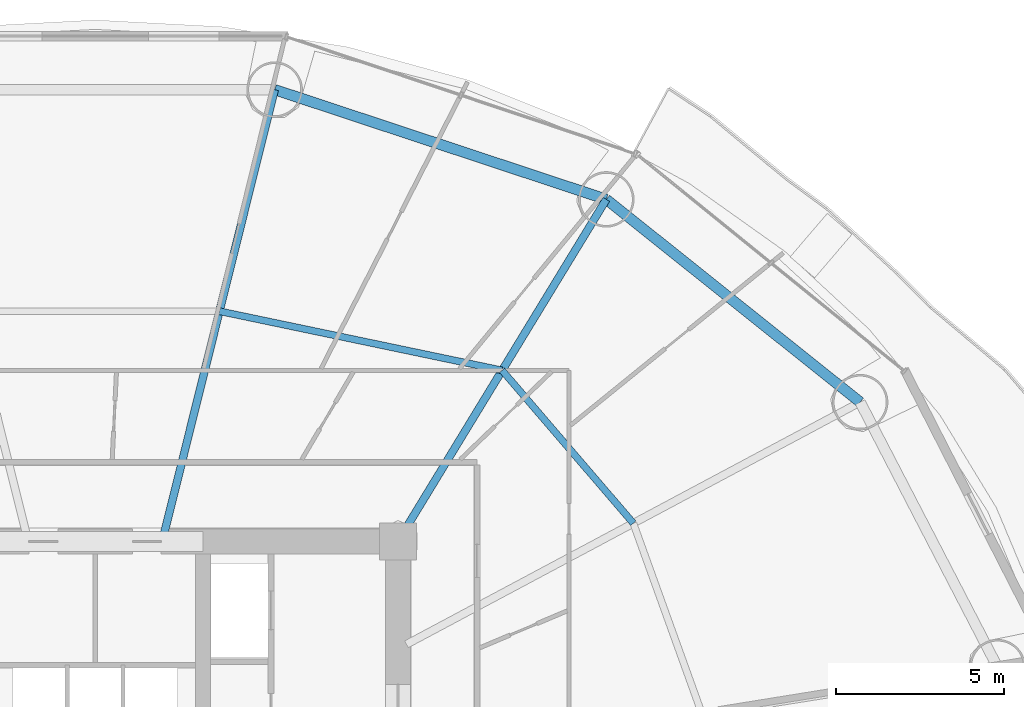
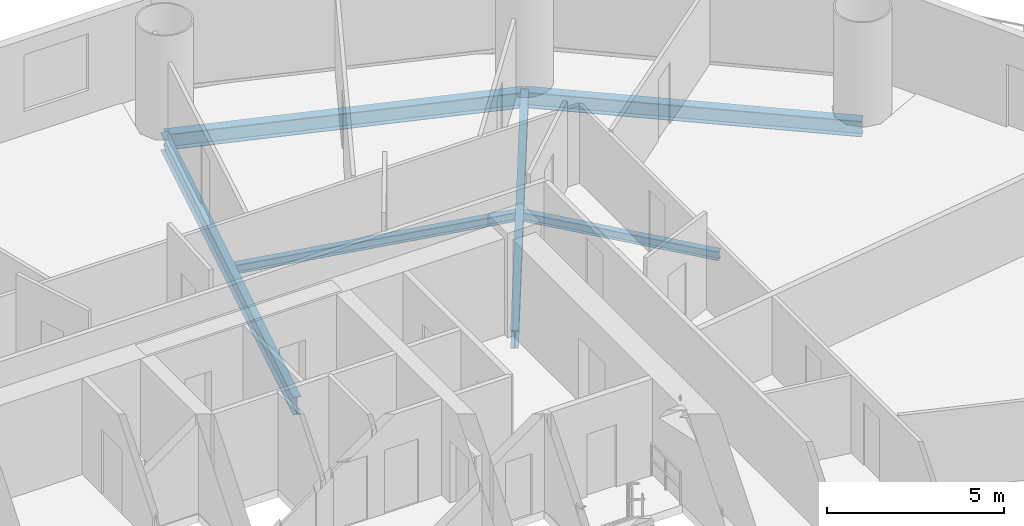
# One storey, part 17 of 28: 6 beams.
"""IFC4 building model written with IfcOpenShell, lengths in metres."""

from ifc_helpers import new_model, si_unit, direction, frame, origin, origin_2d, place, context, subcontext, project, spatial, i_section, extrude, material, material_profile, profile_set, type_object, element, save


model = new_model("IFC4")

# Units and contexts
model_context = context("Model", 3, precision=1e-05, world=origin(), true_north=direction((-0.2419218956, 0.970295726276)))
body_context = subcontext(model_context, "Body", "Model", "MODEL_VIEW")
ifc_project = project(units=[si_unit("LENGTHUNIT", "METRE"), si_unit("AREAUNIT", "SQUARE_METRE"), si_unit("VOLUMEUNIT", "CUBIC_METRE"), si_unit("PLANEANGLEUNIT", "RADIAN"), si_unit("MASSUNIT", "GRAM", prefix="KILO")], contexts=[model_context])

# Site, building, storey
site_placement = place(None, origin())
site = spatial("IfcSite", under=ifc_project, at=site_placement, CompositionType="ELEMENT")
building_placement = place(site_placement, origin())
building = spatial("IfcBuilding", under=site, at=building_placement, Name="Cobrevalo Terracotta Tower", CompositionType="ELEMENT")
storey_placement = place(building_placement, frame((0.0, 0.0, 42.0)))
storey = spatial("IfcBuildingStorey", under=building, at=storey_placement, Name="L10", CompositionType="ELEMENT", Elevation=42.0)

# Beams
ifc_material = material(Name="Steel S355", Category="steel")
ifc_material_profile_1 = material_profile(ifc_material, i_section(OverallWidth=0.22998046875, OverallDepth=0.616943359375, WebThickness=0.01318359375, FlangeThickness=0.022216796875, at=origin_2d()), Name="W 610x140")
ifc_profile_set_1 = profile_set([ifc_material_profile_1], Name="Steel S355")
beam_type_1 = type_object("IfcBeamType", Name="Structural Beam W 610x140 (Steel S355)", PredefinedType="BEAM", material=ifc_profile_set_1)
beam_1_placement = place(storey_placement, frame((53.19482421875, 44.967529296875, -0.58837890625), z_axis=(-0.520309892051, -0.853977526773, 0.0), x_axis=(0.853977526773, -0.520309892051, 0.0)))
element("IfcBeam", 1, at=beam_1_placement, inside=storey, type_object=beam_type_1, Name="L10 radial floor girder 03", PredefinedType="BEAM", context=body_context, shape_type="SweptSolid", body=[
    extrude(i_section(OverallWidth=0.22998046875, OverallDepth=0.616943359375, WebThickness=0.01318359375, FlangeThickness=0.022216796875, at=origin_2d()), origin(), (0.0, 0.0, 1.0), 11.906005859375),
])
beam_2_placement = place(storey_placement, frame((43.335693359375, 48.230224609375, -0.58837890625), z_axis=(-0.241596254786, -0.970376859614, 0.0), x_axis=(0.970376859614, -0.241596254786, 0.0)))
element("IfcBeam", 2, at=beam_2_placement, inside=storey, type_object=beam_type_1, Name="L10 radial floor girder 04", PredefinedType="BEAM", context=body_context, shape_type="SweptSolid", body=[
    extrude(i_section(OverallWidth=0.22998046875, OverallDepth=0.616943359375, WebThickness=0.01318359375, FlangeThickness=0.022216796875, at=origin_2d()), origin(), (0.0, 0.0, 1.0), 13.577392578125),
])
ifc_material_profile_2 = material_profile(ifc_material, i_section(OverallWidth=0.2041015625, OverallDepth=0.305908203125, WebThickness=0.008544921875, FlangeThickness=0.0146484375, at=origin_2d()), Name="W 310x67")
ifc_profile_set_2 = profile_set([ifc_material_profile_2], Name="Steel S355")
beam_type_2 = type_object("IfcBeamType", Name="Structural Joist W 310x67 (Steel S355)", PredefinedType="JOIST", material=ifc_profile_set_2)
beam_3_placement = place(storey_placement, frame((53.997802734375, 35.33984375, -0.43310546875), z_axis=(-0.651328404454, 0.758795960421, 0.0), x_axis=(-0.758795960421, -0.651328404454, 0.0)))
element("IfcBeam", 3, at=beam_3_placement, inside=storey, type_object=beam_type_2, Name="L10 circumferential secondary floor joist 02", PredefinedType="JOIST", context=body_context, shape_type="SweptSolid", body=[
    extrude(i_section(OverallWidth=0.2041015625, OverallDepth=0.305908203125, WebThickness=0.008544921875, FlangeThickness=0.0146484375, at=origin_2d()), origin(), (0.0, 0.0, 1.0), 5.98828125),
])
beam_4_placement = place(storey_placement, frame((50.097412109375, 39.8837890625, -0.43310546875), z_axis=(-0.978784523904, 0.204892302848, 0.0), x_axis=(-0.204892302848, -0.978784523904, 0.0)))
element("IfcBeam", 4, at=beam_4_placement, inside=storey, type_object=beam_type_2, Name="L10 circumferential secondary floor joist 03", PredefinedType="JOIST", context=body_context, shape_type="SweptSolid", body=[
    extrude(i_section(OverallWidth=0.2041015625, OverallDepth=0.305908203125, WebThickness=0.008544921875, FlangeThickness=0.0146484375, at=origin_2d()), origin(), (0.0, 0.0, 1.0), 8.583984375),
])
ifc_material_profile_3 = material_profile(ifc_material, i_section(OverallWidth=0.31201171875, OverallDepth=0.54296875, WebThickness=0.0126953125, FlangeThickness=0.020263671875, at=origin_2d()), Name="W 530x150")
ifc_profile_set_3 = profile_set([ifc_material_profile_3], Name="Steel S355")
beam_type_3 = type_object("IfcBeamType", Name="Structural Spandrel W 530x150 (Steel S355)", PredefinedType="SPANDREL", material=ifc_profile_set_3)
beam_5_placement = place(storey_placement, frame((60.74072265625, 38.939208984375, -0.551513671875), z_axis=(-0.781292806807, 0.62416468182, 0.0), x_axis=(-0.62416468182, -0.781292806807, 0.0)))
element("IfcBeam", 5, at=beam_5_placement, inside=storey, type_object=beam_type_3, Name="L10 perimeter ring spandrel 02", PredefinedType="SPANDREL", context=body_context, shape_type="SweptSolid", body=[
    extrude(i_section(OverallWidth=0.31201171875, OverallDepth=0.54296875, WebThickness=0.0126953125, FlangeThickness=0.020263671875, at=origin_2d()), origin(), (0.0, 0.0, 1.0), 9.658203125),
])
beam_6_placement = place(storey_placement, frame((53.19482421875, 44.967529296875, -0.551513671875), z_axis=(-0.949365190876, 0.314174687638, 0.0), x_axis=(-0.314174687638, -0.949365190876, 0.0)))
element("IfcBeam", 6, at=beam_6_placement, inside=storey, type_object=beam_type_3, Name="L10 perimeter ring spandrel 03", PredefinedType="SPANDREL", context=body_context, shape_type="SweptSolid", body=[
    extrude(i_section(OverallWidth=0.31201171875, OverallDepth=0.54296875, WebThickness=0.0126953125, FlangeThickness=0.020263671875, at=origin_2d()), origin(), (0.0, 0.0, 1.0), 10.385009765625),
])

save(model, "model.ifc")
